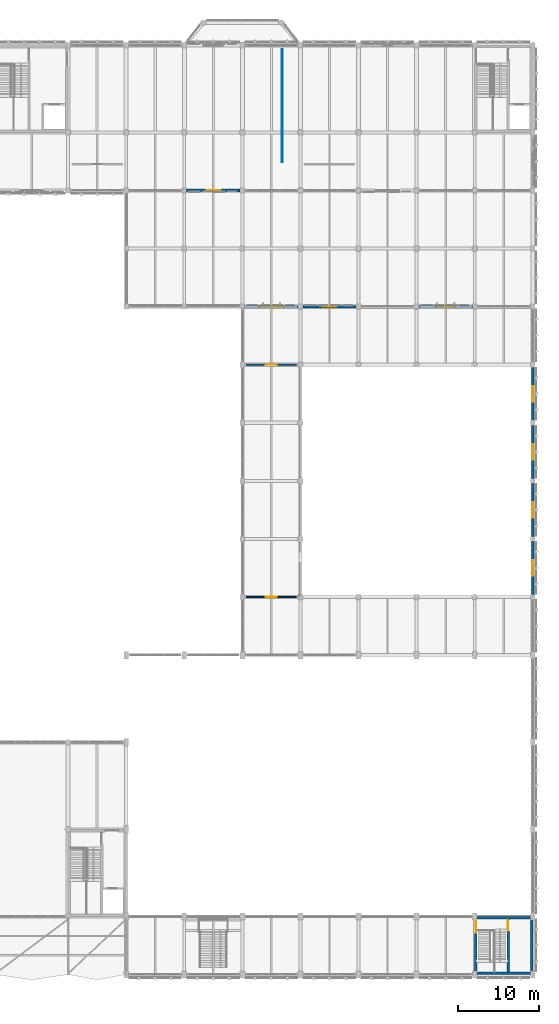
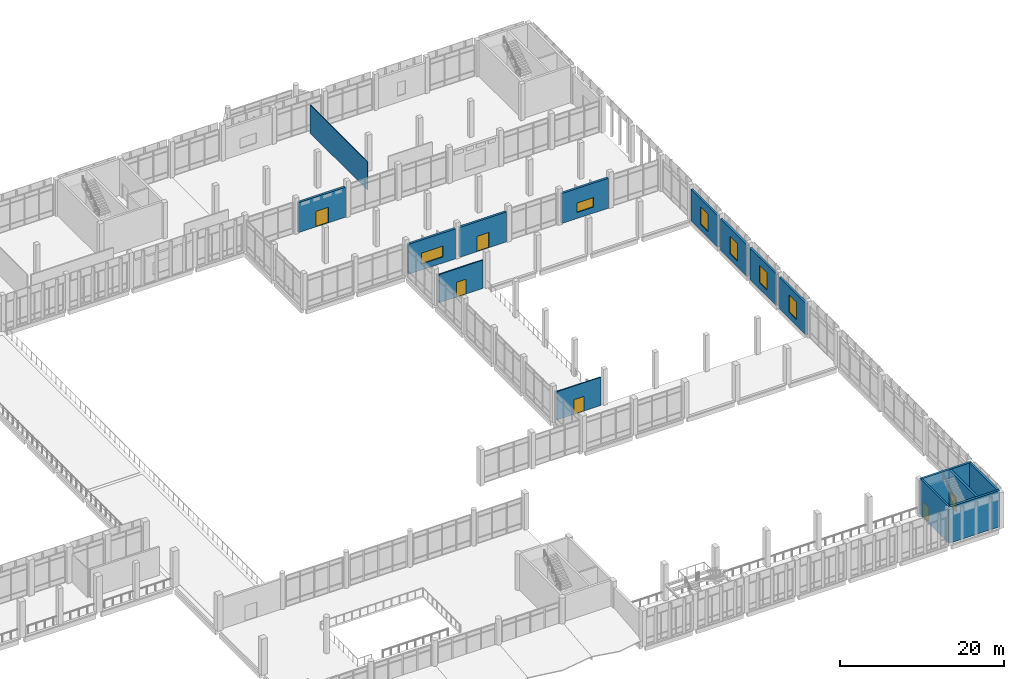
# One storey, part 161 of 180: 16 walls, 6 doors, 6 windows, 12 openings.
"""IFC4 building model written with IfcOpenShell, lengths in metres."""

from ifc_helpers import new_model, si_unit, direction, frame, frame_2d, origin, place, context, subcontext, project, spatial, rectangle, extrude, material, layer, layer_set, type_object, element, fill, save


model = new_model("IFC4")

# Units and contexts
model_context = context("Model", 3, precision=1e-05, world=origin(), true_north=direction((0.0, 1.0)))
body_context = subcontext(model_context, "Body", "Model", "MODEL_VIEW")
ifc_project = project(units=[si_unit("LENGTHUNIT", "METRE"), si_unit("AREAUNIT", "SQUARE_METRE"), si_unit("VOLUMEUNIT", "CUBIC_METRE"), si_unit("PLANEANGLEUNIT", "RADIAN"), si_unit("MASSUNIT", "GRAM", prefix="KILO")], contexts=[model_context])

# Site, building, storey
site_placement = place(None, origin())
site = spatial("IfcSite", under=ifc_project, at=site_placement, CompositionType="ELEMENT")
building_placement = place(site_placement, origin())
building = spatial("IfcBuilding", under=site, at=building_placement, Name="Lusvemor Sports Hall", CompositionType="ELEMENT")
storey_placement = place(building_placement, frame((0.0, 0.0, 5.39990234375)))
storey = spatial("IfcBuildingStorey", under=building, at=storey_placement, Name="L01", CompositionType="ELEMENT", Elevation=5.39990234375)

# Wall, opening, window
ifc_material_1 = material(Name="Emerald polychrome glazed ceramic cladding on Concrete C40/50 backing", Category="concrete")
ifc_layer_1 = layer(ifc_material_1, 0.2900390625)
ifc_layer_set_1 = layer_set([ifc_layer_1], Name="Emerald polychrome glazed ceramic cladding on Concrete C40/50 backing")
wall_type_1 = type_object("IfcWallType", Name="EW_CLIMB_290", PredefinedType="STANDARD", material=ifc_layer_set_1)
wall_1_placement = place(storey_placement, frame((169.199951171875, 53.68408203125, 0.0), z_axis=(0.0, 0.0, 1.0), x_axis=(0.0, -1.0, 0.0)))
wall_1 = element("IfcWall", 1, at=wall_1_placement, inside=storey, type_object=wall_type_1, Name="Exterior Wall EW-V3E-L01-0", PredefinedType="STANDARD", context=body_context, shape_type="SweptSolid", body=[
    extrude(rectangle(XDim=6.568115234375, YDim=0.2900390625, at=frame_2d((3.2841796875, 0.0))), origin(), (0.0, 0.0, 1.0), 4.7001953125),
])
opening_1_placement = place(wall_1_placement, frame((2.323974609375, 0.0, 0.89990234375)))
opening_1 = element("IfcOpeningElement", 2, at=opening_1_placement, cuts=wall_1, Name="Opening WN23", PredefinedType="OPENING", context=body_context, shape_type="SweptSolid", body=[
    extrude(rectangle(XDim=1.919921875, YDim=2.6201171875, at=frame_2d((0.9599609375, 1.31005859375))), frame((0.0, 0.14501953125, 0.0), z_axis=(0.0, -1.0, 0.0), x_axis=(1.0, 0.0, 0.0)), (0.0, 0.0, 1.0), 0.2900390625),
])
ifc_material_2 = material(Name="Solar-control laminated double glazing", Category="glass")
window_type_1 = type_object("IfcWindowType", Name="WIN_23", PartitioningType="SINGLE_PANEL", PredefinedType="WINDOW", material=ifc_material_2)
window_1_placement = place(opening_1_placement, origin())
window_1 = element("IfcWindow", 3, at=window_1_placement, inside=storey, type_object=window_type_1, Name="Climbing Hall East Window L01-0", OverallHeight=2.6201171875, OverallWidth=1.919921875, PartitioningType="SINGLE_PANEL", PredefinedType="WINDOW", context=body_context, shape_type="SweptSolid", body=[
    extrude(rectangle(XDim=1.919921875, YDim=2.6201171875, at=frame_2d((0.9599609375, 1.31005859375))), frame((0.0, 0.030029296875, 0.0), z_axis=(0.0, -1.0, 0.0), x_axis=(1.0, 0.0, 0.0)), (0.0, 0.0, 1.0), 0.06005859375),
])
fill(opening_1, window_1)

wall_2_placement = place(storey_placement, frame((169.199951171875, 60.884033203125, 0.0), z_axis=(0.0, 0.0, 1.0), x_axis=(0.0, -1.0, 0.0)))
wall_2 = element("IfcWall", 4, at=wall_2_placement, inside=storey, type_object=wall_type_1, Name="Exterior Wall EW-V3E-L01-1", PredefinedType="STANDARD", context=body_context, shape_type="SweptSolid", body=[
    extrude(rectangle(XDim=6.568115234375, YDim=0.2900390625, at=frame_2d((3.2841796875, 0.0))), origin(), (0.0, 0.0, 1.0), 4.7001953125),
])
opening_2_placement = place(wall_2_placement, frame((2.323974609375, 0.0, 0.89990234375)))
opening_2 = element("IfcOpeningElement", 5, at=opening_2_placement, cuts=wall_2, Name="Opening WN23", PredefinedType="OPENING", context=body_context, shape_type="SweptSolid", body=[
    extrude(rectangle(XDim=1.919921875, YDim=2.6201171875, at=frame_2d((0.9599609375, 1.31005859375))), frame((0.0, 0.14501953125, 0.0), z_axis=(0.0, -1.0, 0.0), x_axis=(1.0, 0.0, 0.0)), (0.0, 0.0, 1.0), 0.2900390625),
])
window_2_placement = place(opening_2_placement, origin())
window_2 = element("IfcWindow", 6, at=window_2_placement, inside=storey, type_object=window_type_1, Name="Climbing Hall East Window L01-1", OverallHeight=2.6201171875, OverallWidth=1.919921875, PartitioningType="SINGLE_PANEL", PredefinedType="WINDOW", context=body_context, shape_type="SweptSolid", body=[
    extrude(rectangle(XDim=1.919921875, YDim=2.6201171875, at=frame_2d((0.9599609375, 1.31005859375))), frame((0.0, 0.030029296875, 0.0), z_axis=(0.0, -1.0, 0.0), x_axis=(1.0, 0.0, 0.0)), (0.0, 0.0, 1.0), 0.06005859375),
])
fill(opening_2, window_2)

wall_3_placement = place(storey_placement, frame((169.199951171875, 68.083984375, 0.0), z_axis=(0.0, 0.0, 1.0), x_axis=(0.0, -1.0, 0.0)))
wall_3 = element("IfcWall", 7, at=wall_3_placement, inside=storey, type_object=wall_type_1, Name="Exterior Wall EW-V3E-L01-2", PredefinedType="STANDARD", context=body_context, shape_type="SweptSolid", body=[
    extrude(rectangle(XDim=6.56787109375, YDim=0.2900390625, at=frame_2d((3.283935546875, 0.0))), origin(), (0.0, 0.0, 1.0), 4.7001953125),
])
opening_3_placement = place(wall_3_placement, frame((2.323974609375, 0.0, 0.89990234375)))
opening_3 = element("IfcOpeningElement", 8, at=opening_3_placement, cuts=wall_3, Name="Opening WN23", PredefinedType="OPENING", context=body_context, shape_type="SweptSolid", body=[
    extrude(rectangle(XDim=1.919921875, YDim=2.6201171875, at=frame_2d((0.9599609375, 1.31005859375))), frame((0.0, 0.14501953125, 0.0), z_axis=(0.0, -1.0, 0.0), x_axis=(1.0, 0.0, 0.0)), (0.0, 0.0, 1.0), 0.2900390625),
])
window_3_placement = place(opening_3_placement, origin())
window_3 = element("IfcWindow", 9, at=window_3_placement, inside=storey, type_object=window_type_1, Name="Climbing Hall East Window L01-2", OverallHeight=2.6201171875, OverallWidth=1.919921875, PartitioningType="SINGLE_PANEL", PredefinedType="WINDOW", context=body_context, shape_type="SweptSolid", body=[
    extrude(rectangle(XDim=1.919921875, YDim=2.6201171875, at=frame_2d((0.9599609375, 1.31005859375))), frame((0.0, 0.030029296875, 0.0), z_axis=(0.0, -1.0, 0.0), x_axis=(1.0, 0.0, 0.0)), (0.0, 0.0, 1.0), 0.06005859375),
])
fill(opening_3, window_3)

wall_4_placement = place(storey_placement, frame((169.199951171875, 75.283935546875, 0.0), z_axis=(0.0, 0.0, 1.0), x_axis=(0.0, -1.0, 0.0)))
wall_4 = element("IfcWall", 10, at=wall_4_placement, inside=storey, type_object=wall_type_1, Name="Exterior Wall EW-V3E-L01-3", PredefinedType="STANDARD", context=body_context, shape_type="SweptSolid", body=[
    extrude(rectangle(XDim=6.56787109375, YDim=0.2900390625, at=frame_2d((3.283935546875, 0.0))), origin(), (0.0, 0.0, 1.0), 4.7001953125),
])
opening_4_placement = place(wall_4_placement, frame((2.323974609375, 0.0, 0.89990234375)))
opening_4 = element("IfcOpeningElement", 11, at=opening_4_placement, cuts=wall_4, Name="Opening WN23", PredefinedType="OPENING", context=body_context, shape_type="SweptSolid", body=[
    extrude(rectangle(XDim=1.919921875, YDim=2.6201171875, at=frame_2d((0.9599609375, 1.31005859375))), frame((0.0, 0.14501953125, 0.0), z_axis=(0.0, -1.0, 0.0), x_axis=(1.0, 0.0, 0.0)), (0.0, 0.0, 1.0), 0.2900390625),
])
window_4_placement = place(opening_4_placement, origin())
window_4 = element("IfcWindow", 12, at=window_4_placement, inside=storey, type_object=window_type_1, Name="Climbing Hall East Window L01-3", OverallHeight=2.6201171875, OverallWidth=1.919921875, PartitioningType="SINGLE_PANEL", PredefinedType="WINDOW", context=body_context, shape_type="SweptSolid", body=[
    extrude(rectangle(XDim=1.919921875, YDim=2.6201171875, at=frame_2d((0.9599609375, 1.31005859375))), frame((0.0, 0.030029296875, 0.0), z_axis=(0.0, -1.0, 0.0), x_axis=(1.0, 0.0, 0.0)), (0.0, 0.0, 1.0), 0.06005859375),
])
fill(opening_4, window_4)

# Wall, opening, door
ifc_material_3 = material(Name="Warm terracotta Art Nouveau ceramic cladding on Concrete C40/50 backing", Category="masonry")
ifc_layer_2 = layer(ifc_material_3, 0.31494140625)
ifc_layer_set_2 = layer_set([ifc_layer_2], Name="Warm terracotta Art Nouveau ceramic cladding on Concrete C40/50 backing")
wall_type_2 = type_object("IfcWallType", Name="EW_WING_CAV_315", PredefinedType="STANDARD", material=ifc_layer_set_2)
wall_5_placement = place(storey_placement, frame((132.924072265625, 97.199951171875, 0.0), z_axis=(0.0, 0.0, 1.0), x_axis=(-1.0, 0.0, 0.0)))
wall_5 = element("IfcWall", 13, at=wall_5_placement, inside=storey, type_object=wall_type_2, Name="Exterior Wall EW-L01-S-3-11", PredefinedType="STANDARD", context=body_context, shape_type="SweptSolid", body=[
    extrude(rectangle(XDim=6.648193359375, YDim=0.31494140625, at=frame_2d((3.32421875, 0.0))), origin(), (0.0, 0.0, 1.0), 4.47509765625),
])
opening_5_placement = place(wall_5_placement, frame((2.43408203125, 0.0, 0.0)))
opening_5 = element("IfcOpeningElement", 14, at=opening_5_placement, cuts=wall_5, Name="Opening ED07", PredefinedType="OPENING", context=body_context, shape_type="SweptSolid", body=[
    extrude(rectangle(XDim=1.780029296875, YDim=2.320068359375, at=frame_2d((0.89013671875, 1.16015625))), frame((0.0, 0.157470703125, 0.0), z_axis=(0.0, -1.0, 0.0), x_axis=(1.0, 0.0, 0.0)), (0.0, 0.0, 1.0), 0.31494140625),
])
ifc_material_4 = material(Name="Thermally broken bronze-anodized aluminium", Category="aluminium")
door_type_1 = type_object("IfcDoorType", Name="EDR_TERR_178x232", OperationType="NOTDEFINED", PredefinedType="DOOR", material=ifc_material_4)
door_1_placement = place(opening_5_placement, origin())
door_1 = element("IfcDoor", 15, at=door_1_placement, inside=storey, type_object=door_type_1, Name="DR-029", OperationType="SINGLE_SWING_LEFT", OverallHeight=2.320068359375, OverallWidth=1.780029296875, PredefinedType="DOOR", context=body_context, shape_type="SweptSolid", body=[
    extrude(rectangle(XDim=1.780029296875, YDim=2.320068359375, at=frame_2d((0.89013671875, 1.16015625))), frame((0.0, 0.02490234375, 0.0), z_axis=(0.0, -1.0, 0.0), x_axis=(1.0, 0.0, 0.0)), (0.0, 0.0, 1.0), 0.050048828125),
])
fill(opening_5, door_1)

# Wall, opening, window
wall_6_placement = place(storey_placement, frame((133.47607421875, 82.800048828125, 0.0), z_axis=(0.0, 0.0, 1.0), x_axis=(1.0, 0.0, 0.0)))
wall_6 = element("IfcWall", 16, at=wall_6_placement, inside=storey, type_object=wall_type_2, Name="Exterior Wall EW-L01-N-5-0", PredefinedType="STANDARD", context=body_context, shape_type="SweptSolid", body=[
    extrude(rectangle(XDim=6.6279296875, YDim=0.31494140625, at=frame_2d((3.31396484375, 0.0))), origin(), (0.0, 0.0, 1.0), 4.47509765625),
])
opening_6_placement = place(wall_6_placement, frame((1.799072265625, 0.0, 0.89990234375)))
opening_6 = element("IfcOpeningElement", 17, at=opening_6_placement, cuts=wall_6, Name="Opening WN16", PredefinedType="OPENING", context=body_context, shape_type="SweptSolid", body=[
    extrude(rectangle(XDim=3.050048828125, YDim=1.6201171875, at=frame_2d((1.52490234375, 0.81005859375))), frame((0.0, 0.157470703125, 0.0), z_axis=(0.0, -1.0, 0.0), x_axis=(1.0, 0.0, 0.0)), (0.0, 0.0, 1.0), 0.31494140625),
])
ifc_material_5 = material(Name="Solar-control laminated double glazing", Category="glass")
window_type_2 = type_object("IfcWindowType", Name="WIN_16", PartitioningType="SINGLE_PANEL", PredefinedType="WINDOW", material=ifc_material_5)
window_5_placement = place(opening_6_placement, origin())
window_5 = element("IfcWindow", 18, at=window_5_placement, inside=storey, type_object=window_type_2, Name="Wing Window L01-N-5-0", OverallHeight=1.6201171875, OverallWidth=3.050048828125, PartitioningType="SINGLE_PANEL", PredefinedType="WINDOW", context=body_context, shape_type="SweptSolid", body=[
    extrude(rectangle(XDim=3.050048828125, YDim=1.6201171875, at=frame_2d((1.52490234375, 0.81005859375))), frame((0.0, 0.030029296875, 0.0), z_axis=(0.0, -1.0, 0.0), x_axis=(1.0, 0.0, 0.0)), (0.0, 0.0, 1.0), 0.06005859375),
])
fill(opening_6, window_5)

# Wall, opening, door
wall_7_placement = place(storey_placement, frame((140.696044921875, 82.800048828125, 0.0), z_axis=(0.0, 0.0, 1.0), x_axis=(1.0, 0.0, 0.0)))
wall_7 = element("IfcWall", 19, at=wall_7_placement, inside=storey, type_object=wall_type_2, Name="Exterior Wall EW-L01-N-5-1", PredefinedType="STANDARD", context=body_context, shape_type="SweptSolid", body=[
    extrude(rectangle(XDim=6.60791015625, YDim=0.31494140625, at=frame_2d((3.303955078125, 0.0))), origin(), (0.0, 0.0, 1.0), 4.47509765625),
])
opening_7_placement = place(wall_7_placement, frame((2.444091796875, 0.0, 0.0)))
opening_7 = element("IfcOpeningElement", 20, at=opening_7_placement, cuts=wall_7, Name="Opening ED13", PredefinedType="OPENING", context=body_context, shape_type="SweptSolid", body=[
    extrude(rectangle(XDim=1.719970703125, YDim=2.280029296875, at=frame_2d((0.85986328125, 1.14013671875))), frame((0.0, 0.157470703125, 0.0), z_axis=(0.0, -1.0, 0.0), x_axis=(1.0, 0.0, 0.0)), (0.0, 0.0, 1.0), 0.31494140625),
])
ifc_material_6 = material(Name="Thermally broken bronze-anodized aluminium", Category="aluminium")
door_type_2 = type_object("IfcDoorType", Name="EDR_PROM_172x228", OperationType="NOTDEFINED", PredefinedType="DOOR", material=ifc_material_6)
door_2_placement = place(opening_7_placement, origin())
door_2 = element("IfcDoor", 21, at=door_2_placement, inside=storey, type_object=door_type_2, Name="DR-030", OperationType="SINGLE_SWING_RIGHT", OverallHeight=2.280029296875, OverallWidth=1.719970703125, PredefinedType="DOOR", context=body_context, shape_type="SweptSolid", body=[
    extrude(rectangle(XDim=1.719970703125, YDim=2.280029296875, at=frame_2d((0.85986328125, 1.14013671875))), frame((0.0, 0.02490234375, 0.0), z_axis=(0.0, -1.0, 0.0), x_axis=(1.0, 0.0, 0.0)), (0.0, 0.0, 1.0), 0.050048828125),
])
fill(opening_7, door_2)

# Wall, opening, window
wall_8_placement = place(storey_placement, frame((155.095947265625, 82.800048828125, 0.0), z_axis=(0.0, 0.0, 1.0), x_axis=(1.0, 0.0, 0.0)))
wall_8 = element("IfcWall", 22, at=wall_8_placement, inside=storey, type_object=wall_type_2, Name="Exterior Wall EW-L01-N-5-3", PredefinedType="STANDARD", context=body_context, shape_type="SweptSolid", body=[
    extrude(rectangle(XDim=6.608154296875, YDim=0.31494140625, at=frame_2d((3.30419921875, 0.0))), origin(), (0.0, 0.0, 1.0), 4.47509765625),
])
opening_8_placement = place(wall_8_placement, frame((2.114013671875, 0.0, 0.89990234375)))
opening_8 = element("IfcOpeningElement", 23, at=opening_8_placement, cuts=wall_8, Name="Opening WN19", PredefinedType="OPENING", context=body_context, shape_type="SweptSolid", body=[
    extrude(rectangle(XDim=2.3798828125, YDim=1.419921875, at=frame_2d((1.18994140625, 0.7099609375))), frame((0.0, 0.157470703125, 0.0), z_axis=(0.0, -1.0, 0.0), x_axis=(1.0, 0.0, 0.0)), (0.0, 0.0, 1.0), 0.31494140625),
])
ifc_material_7 = material(Name="Solar-control laminated double glazing", Category="glass")
window_type_3 = type_object("IfcWindowType", Name="WIN_19", PartitioningType="SINGLE_PANEL", PredefinedType="WINDOW", material=ifc_material_7)
window_6_placement = place(opening_8_placement, origin())
window_6 = element("IfcWindow", 24, at=window_6_placement, inside=storey, type_object=window_type_3, Name="Wing Window L01-N-5-3", OverallHeight=1.419921875, OverallWidth=2.3798828125, PartitioningType="SINGLE_PANEL", PredefinedType="WINDOW", context=body_context, shape_type="SweptSolid", body=[
    extrude(rectangle(XDim=2.3798828125, YDim=1.419921875, at=frame_2d((1.18994140625, 0.7099609375))), frame((0.0, 0.030029296875, 0.0), z_axis=(0.0, -1.0, 0.0), x_axis=(1.0, 0.0, 0.0)), (0.0, 0.0, 1.0), 0.06005859375),
])
fill(opening_8, window_6)

# Wall, opening, door
ifc_material_8 = material(Name="Double-leaf acoustic gypsum board on metal studs")
ifc_layer_3 = layer(ifc_material_8, 0.169921875)
ifc_layer_set_3 = layer_set([ifc_layer_3], Name="Double-leaf acoustic gypsum board on metal studs")
wall_type_3 = type_object("IfcWallType", Name="IW_CORR_168", PredefinedType="STANDARD", material=ifc_layer_set_3)
wall_9_placement = place(storey_placement, frame((133.699951171875, 46.800048828125, 0.0), z_axis=(0.0, 0.0, 1.0), x_axis=(1.0, 0.0, 0.0)))
wall_9 = element("IfcWall", 25, at=wall_9_placement, inside=storey, type_object=wall_type_3, Name="Partition IW-L01-ELINK-V3", PredefinedType="STANDARD", context=body_context, shape_type="SweptSolid", body=[
    extrude(rectangle(XDim=6.199951171875, YDim=0.169921875, at=frame_2d((3.10009765625, 0.0))), origin(), (0.0, 0.0, 1.0), 4.22021484375),
])
opening_9_placement = place(wall_9_placement, frame((2.409912109375, 0.0, 0.0)))
opening_9 = element("IfcOpeningElement", 26, at=opening_9_placement, cuts=wall_9, Name="Opening ID25", PredefinedType="OPENING", context=body_context, shape_type="SweptSolid", body=[
    extrude(rectangle(XDim=1.3798828125, YDim=2.199951171875, at=frame_2d((0.68994140625, 1.10009765625))), frame((0.0, 0.0849609375, 0.0), z_axis=(0.0, -1.0, 0.0), x_axis=(1.0, 0.0, 0.0)), (0.0, 0.0, 1.0), 0.169921875),
])
ifc_material_9 = material(Name="Acoustic solid-core hardwood door leaf in steel frame", Category="steel")
door_type_3 = type_object("IfcDoorType", Name="IDR_CLIMB_G2_138", OperationType="NOTDEFINED", PredefinedType="DOOR", material=ifc_material_9)
door_3_placement = place(opening_9_placement, origin())
door_3 = element("IfcDoor", 27, at=door_3_placement, inside=storey, type_object=door_type_3, Name="DR-175", OperationType="SINGLE_SWING_LEFT", OverallHeight=2.199951171875, OverallWidth=1.3798828125, PredefinedType="DOOR", context=body_context, shape_type="SweptSolid", body=[
    extrude(rectangle(XDim=1.3798828125, YDim=2.199951171875, at=frame_2d((0.68994140625, 1.10009765625))), frame((0.0, 0.02490234375, 0.0), z_axis=(0.0, -1.0, 0.0), x_axis=(1.0, 0.0, 0.0)), (0.0, 0.0, 1.0), 0.050048828125),
])
fill(opening_9, door_3)

wall_10_placement = place(storey_placement, frame((133.699951171875, 75.60009765625, 0.0), z_axis=(0.0, 0.0, 1.0), x_axis=(1.0, 0.0, 0.0)))
wall_10 = element("IfcWall", 28, at=wall_10_placement, inside=storey, type_object=wall_type_3, Name="Partition IW-L01-V3-NLINK", PredefinedType="STANDARD", context=body_context, shape_type="SweptSolid", body=[
    extrude(rectangle(XDim=6.199951171875, YDim=0.169921875, at=frame_2d((3.10009765625, 0.0))), origin(), (0.0, 0.0, 1.0), 4.22021484375),
])
opening_10_placement = place(wall_10_placement, frame((2.409912109375, 0.0, 0.0)))
opening_10 = element("IfcOpeningElement", 29, at=opening_10_placement, cuts=wall_10, Name="Opening ID25", PredefinedType="OPENING", context=body_context, shape_type="SweptSolid", body=[
    extrude(rectangle(XDim=1.3798828125, YDim=2.199951171875, at=frame_2d((0.68994140625, 1.10009765625))), frame((0.0, 0.0849609375, 0.0), z_axis=(0.0, -1.0, 0.0), x_axis=(1.0, 0.0, 0.0)), (0.0, 0.0, 1.0), 0.169921875),
])
door_4_placement = place(opening_10_placement, origin())
door_4 = element("IfcDoor", 30, at=door_4_placement, inside=storey, type_object=door_type_3, Name="DR-176", OperationType="SINGLE_SWING_RIGHT", OverallHeight=2.199951171875, OverallWidth=1.3798828125, PredefinedType="DOOR", context=body_context, shape_type="SweptSolid", body=[
    extrude(rectangle(XDim=1.3798828125, YDim=2.199951171875, at=frame_2d((0.68994140625, 1.10009765625))), frame((0.0, 0.02490234375, 0.0), z_axis=(0.0, -1.0, 0.0), x_axis=(1.0, 0.0, 0.0)), (0.0, 0.0, 1.0), 0.050048828125),
])
fill(opening_10, door_4)

# Walls
ifc_material_10 = material(Name="Double-leaf acoustic gypsum board on metal studs")
ifc_layer_4 = layer(ifc_material_10, 0.10009765625)
ifc_layer_set_4 = layer_set([ifc_layer_4], Name="Double-leaf acoustic gypsum board on metal studs")
wall_type_4 = type_object("IfcWallType", Name="IW_PART_108", PredefinedType="STANDARD", material=ifc_layer_set_4)
wall_11_placement = place(storey_placement, frame((138.14990234375, 100.699951171875, 0.0), z_axis=(0.0, 0.0, 1.0), x_axis=(0.0, 1.0, 0.0)))
element("IfcWall", 31, at=wall_11_placement, inside=storey, type_object=wall_type_4, Name="Partition IW-L01-CNNDIV-138", PredefinedType="STANDARD", context=body_context, shape_type="SweptSolid", body=[
    extrude(rectangle(XDim=14.0, YDim=0.10009765625, at=frame_2d((7.0, 0.0))), origin(), (0.0, 0.0, 1.0), 4.22021484375),
])
ifc_material_11 = material(Name="Concrete C40/50", Category="concrete")
ifc_layer_5 = layer(ifc_material_11, 0.300048828125)
ifc_layer_set_5 = layer_set([ifc_layer_5], Name="Concrete C40/50")
wall_type_5 = type_object("IfcWallType", Name="WALL_CORE_300_INT", PredefinedType="SHEAR", material=ifc_layer_set_5)
wall_12_placement = place(storey_placement, frame((162.0, 7.050048828125, 0.0), z_axis=(0.0, 0.0, 1.0), x_axis=(1.0, 0.0, 0.0)))
element("IfcWall", 32, at=wall_12_placement, inside=storey, type_object=wall_type_5, Name="Core C8 Southeast Stacked Shear Wall N (L01)", PredefinedType="SHEAR", context=body_context, shape_type="SweptSolid", body=[
    extrude(rectangle(XDim=7.199951171875, YDim=0.300048828125, at=frame_2d((3.60009765625, 0.0))), origin(), (0.0, 0.0, 1.0), 5.400146484375),
])

# Wall, opening, door
wall_13_placement = place(storey_placement, frame((162.14990234375, 0.300048828125, 0.0), z_axis=(0.0, 0.0, 1.0), x_axis=(0.0, 1.0, 0.0)))
wall_13 = element("IfcWall", 33, at=wall_13_placement, inside=storey, type_object=wall_type_5, Name="Core C8 Southeast Stacked Shear Wall W (L01)", PredefinedType="SHEAR", context=body_context, shape_type="SweptSolid", body=[
    extrude(rectangle(XDim=6.599853515625, YDim=0.300048828125, at=frame_2d((3.2998046875, 0.0))), origin(), (0.0, 0.0, 1.0), 5.400146484375),
])
opening_11_placement = place(wall_13_placement, frame((4.860107421875, 0.0, 0.0)))
opening_11 = element("IfcOpeningElement", 34, at=opening_11_placement, cuts=wall_13, Name="Opening DR-FD60-01", PredefinedType="OPENING", context=body_context, shape_type="SweptSolid", body=[
    extrude(rectangle(XDim=1.5400390625, YDim=2.219970703125, at=frame_2d((0.77001953125, 1.10986328125))), frame((0.0, 0.14990234375, 0.0), z_axis=(0.0, -1.0, 0.0), x_axis=(1.0, 0.0, 0.0)), (0.0, 0.0, 1.0), 0.300048828125),
])
ifc_material_12 = material(Name="Fire-rated insulated painted steel door assembly", Category="steel")
door_type_4 = type_object("IfcDoorType", Name="IDR_LOBBY_FD60_154", OperationType="NOTDEFINED", PredefinedType="DOOR", material=ifc_material_12)
door_5_placement = place(opening_11_placement, origin())
door_5 = element("IfcDoor", 35, at=door_5_placement, inside=storey, type_object=door_type_4, Name="DR-128", OperationType="SINGLE_SWING_LEFT", OverallHeight=2.219970703125, OverallWidth=1.5400390625, PredefinedType="DOOR", context=body_context, shape_type="SweptSolid", body=[
    extrude(rectangle(XDim=1.5400390625, YDim=2.219970703125, at=frame_2d((0.77001953125, 1.10986328125))), frame((0.0, 0.02490234375, 0.0), z_axis=(0.0, -1.0, 0.0), x_axis=(1.0, 0.0, 0.0)), (0.0, 0.0, 1.0), 0.050048828125),
])
fill(opening_11, door_5)

# Wall
wall_14_placement = place(storey_placement, frame((169.050048828125, 6.89990234375, 0.0), z_axis=(0.0, 0.0, 1.0), x_axis=(0.0, -1.0, 0.0)))
element("IfcWall", 36, at=wall_14_placement, inside=storey, type_object=wall_type_5, Name="Core C8 Southeast Stacked Shear Wall E (L01)", PredefinedType="SHEAR", context=body_context, shape_type="SweptSolid", body=[
    extrude(rectangle(XDim=6.599853515625, YDim=0.300048828125, at=frame_2d((3.2998046875, 0.0))), origin(), (0.0, 0.0, 1.0), 5.400146484375),
])

# Wall, opening, door
wall_15_placement = place(storey_placement, frame((166.14990234375, 0.300048828125, 0.0), z_axis=(0.0, 0.0, 1.0), x_axis=(0.0, 1.0, 0.0)))
wall_15 = element("IfcWall", 37, at=wall_15_placement, inside=storey, type_object=wall_type_5, Name="Core C8 Southeast Stacked Shear Wall M (L01)", PredefinedType="SHEAR", context=body_context, shape_type="SweptSolid", body=[
    extrude(rectangle(XDim=6.599853515625, YDim=0.300048828125, at=frame_2d((3.2998046875, 0.0))), origin(), (0.0, 0.0, 1.0), 5.400146484375),
])
opening_12_placement = place(wall_15_placement, frame((5.110107421875, 0.0, 0.0)))
opening_12 = element("IfcOpeningElement", 38, at=opening_12_placement, cuts=wall_15, Name="Opening DR-FD90-02", PredefinedType="OPENING", context=body_context, shape_type="SweptSolid", body=[
    extrude(rectangle(XDim=1.340087890625, YDim=2.179931640625, at=frame_2d((0.669921875, 1.08984375))), frame((0.0, 0.14990234375, 0.0), z_axis=(0.0, -1.0, 0.0), x_axis=(1.0, 0.0, 0.0)), (0.0, 0.0, 1.0), 0.300048828125),
])
ifc_material_13 = material(Name="Fire-rated insulated painted steel door assembly", Category="steel")
door_type_5 = type_object("IfcDoorType", Name="IDR_STAIR_FD90_134", OperationType="NOTDEFINED", PredefinedType="DOOR", material=ifc_material_13)
door_6_placement = place(opening_12_placement, origin())
door_6 = element("IfcDoor", 39, at=door_6_placement, inside=storey, type_object=door_type_5, Name="DR-127", OperationType="SINGLE_SWING_RIGHT", OverallHeight=2.179931640625, OverallWidth=1.340087890625, PredefinedType="DOOR", context=body_context, shape_type="SweptSolid", body=[
    extrude(rectangle(XDim=1.340087890625, YDim=2.179931640625, at=frame_2d((0.669921875, 1.08984375))), frame((0.0, 0.02490234375, 0.0), z_axis=(0.0, -1.0, 0.0), x_axis=(1.0, 0.0, 0.0)), (0.0, 0.0, 1.0), 0.050048828125),
])
fill(opening_12, door_6)

# Wall
ifc_material_14 = material(Name="Concrete C40/50", Category="concrete")
ifc_layer_6 = layer(ifc_material_14, 0.324951171875)
ifc_layer_set_6 = layer_set([ifc_layer_6], Name="Concrete C40/50")
wall_type_6 = type_object("IfcWallType", Name="WALL_CORE_325_EXT", PredefinedType="SHEAR", material=ifc_layer_set_6)
wall_16_placement = place(storey_placement, frame((169.199951171875, 0.14990234375, 0.0), z_axis=(0.0, 0.0, 1.0), x_axis=(-1.0, 0.0, 0.0)))
element("IfcWall", 40, at=wall_16_placement, inside=storey, type_object=wall_type_6, Name="Core C8 Southeast Stacked Shear Wall S (L01)", PredefinedType="SHEAR", context=body_context, shape_type="SweptSolid", body=[
    extrude(rectangle(XDim=7.199951171875, YDim=0.324951171875, at=frame_2d((3.60009765625, 0.0))), origin(), (0.0, 0.0, 1.0), 5.400146484375),
])

save(model, "model.ifc")
